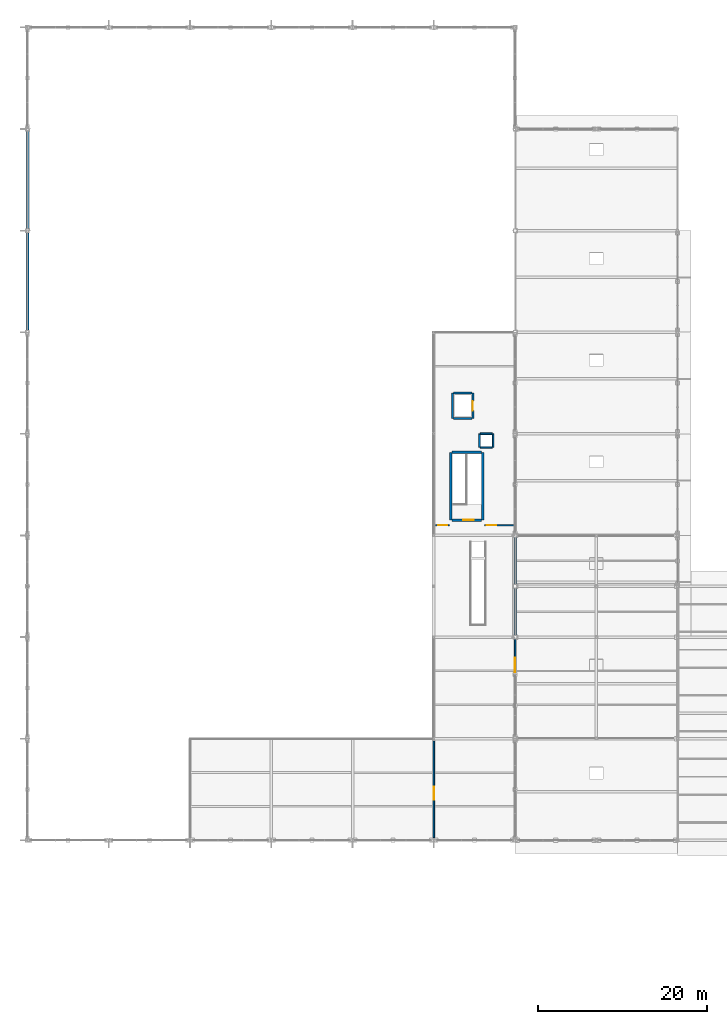
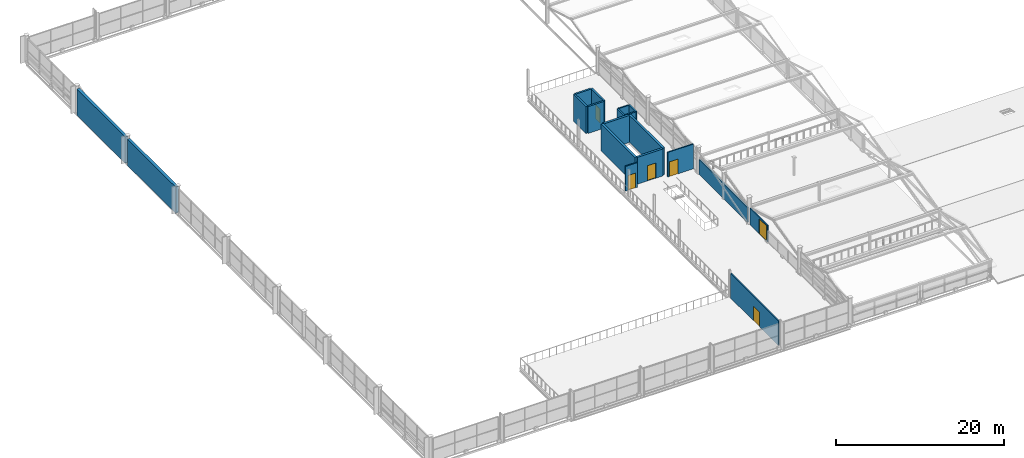
# One storey, part 106 of 117: 19 walls, 6 doors, 6 openings.
"""IFC4 building model written with IfcOpenShell, lengths in metres."""

import ifcopenshell
import ifcopenshell.guid

model = None  # the IFC model being written
_history = None  # IfcOwnerHistory: only IFC2X3 demands one
_inside = {}  # id of a spatial element -> (the spatial element, [elements in it])
_under = {}  # id of a project, library or spatial element -> (it, [spatial elements below it])
_declared = {}  # id of a project -> (the project, [libraries it declares])
_typed = {}  # id of a type object -> (the type object, [elements of that type])
_made_of = {}  # id of a material, layer set ... -> (it, [elements and type objects made of it])


def new_model(schema):
    """Start an empty IFC model of exactly this schema.

    Asked for "IFC4X3", IfcOpenShell would pick the latest addendum, in which some entities
    have other attributes; the version numbers below select the first issue.
    IFC2X3 requires an IfcOwnerHistory on every rooted entity: one is made here for all.
    """
    global model, _history
    if schema == "IFC4X3":
        model = ifcopenshell.file(schema_version=(4, 3, 0, 0))
    else:
        model = ifcopenshell.file(schema=schema)
    _inside.clear()
    _under.clear()
    _declared.clear()
    _typed.clear()
    _made_of.clear()
    _history = None
    if model.schema == "IFC2X3":
        org = make("IfcOrganization", Name="unknown")
        user = make(
            "IfcPersonAndOrganization",
            ThePerson=make("IfcPerson", FamilyName="unknown"),
            TheOrganization=org,
        )
        app = make(
            "IfcApplication",
            ApplicationDeveloper=org,
            Version="unknown",
            ApplicationFullName="unknown",
            ApplicationIdentifier="unknown",
        )
        _history = make(
            "IfcOwnerHistory",
            OwningUser=user,
            OwningApplication=app,
            ChangeAction="ADDED",
            CreationDate=0,
        )
    return model


def make(cls, **values):
    """One entity of the class cls with the attributes given. An attribute that is None is left unset."""
    return model.create_entity(
        cls, **{name: value for name, value in values.items() if value is not None}
    )


def rooted(cls, **values):
    """An entity with a GlobalId (a new one), such as an element, a storey or a relation."""
    return make(cls, GlobalId=ifcopenshell.guid.new(), OwnerHistory=_history, **values)


def si_unit(unit_type, name, prefix=None):
    """IfcSIUnit, for example si_unit("LENGTHUNIT", "METRE", prefix="MILLI")."""
    return make("IfcSIUnit", UnitType=unit_type, Prefix=prefix, Name=name)


def assignment(units):
    """IfcUnitAssignment: the units of a project."""
    return None if units is None else make("IfcUnitAssignment", Units=units)


def point(xyz):
    """IfcCartesianPoint."""
    return None if xyz is None else make("IfcCartesianPoint", Coordinates=xyz)


def direction(xyz):
    """IfcDirection."""
    return None if xyz is None else make("IfcDirection", DirectionRatios=xyz)


def frame(location, z_axis=None, x_axis=None):
    """IfcAxis2Placement3D, a coordinate frame: its origin and axes. An axis left out is left unset."""
    return make(
        "IfcAxis2Placement3D",
        Location=point(location),
        Axis=direction(z_axis),
        RefDirection=direction(x_axis),
    )


def frame_2d(location, x_axis=None):
    """IfcAxis2Placement2D, a coordinate frame in the plane: its origin and x axis."""
    return make(
        "IfcAxis2Placement2D", Location=point(location), RefDirection=direction(x_axis)
    )


def origin():
    """The frame at (0, 0, 0) with its axes left unset."""
    return frame((0.0, 0.0, 0.0))


def place(relative_to, where):
    """IfcLocalPlacement: puts the frame where relative to a parent placement (None: the world)."""
    return make(
        "IfcLocalPlacement", PlacementRelTo=relative_to, RelativePlacement=where
    )


def context(
    kind, dimensions, precision=None, world=None, true_north=None, identifier=None
):
    """IfcGeometricRepresentationContext, for example the 3D "Model" context."""
    return make(
        "IfcGeometricRepresentationContext",
        ContextIdentifier=identifier,
        ContextType=kind,
        CoordinateSpaceDimension=dimensions,
        Precision=precision,
        WorldCoordinateSystem=world,
        TrueNorth=true_north,
    )


def subcontext(parent, identifier, kind, view, scale=None):
    """IfcGeometricRepresentationSubContext, for example "Body" below "Model"."""
    return make(
        "IfcGeometricRepresentationSubContext",
        ContextIdentifier=identifier,
        ContextType=kind,
        ParentContext=parent,
        TargetScale=scale,
        TargetView=view,
    )


def project(units=None, contexts=None):
    """IfcProject with its units and contexts."""
    return rooted(
        "IfcProject",
        Name="project",
        RepresentationContexts=contexts,
        UnitsInContext=assignment(units),
    )


def spatial(cls, under=None, at=None, **own):
    """A site, building, storey or space (cls), placed at a placement, below another one or the project."""
    s = rooted(cls, ObjectPlacement=at, **own)
    if under is not None:
        _under.setdefault(under.id(), (under, []))[1].append(s)
    return s


def profile(cls, at=None, kind="AREA", **sizes):
    """A parametric profile (cls). Its sizes go by their IFC names, for example OverallWidth=200.0."""
    return make(cls, ProfileType=kind, Position=at, **sizes)


def rectangle(**sizes):
    """IfcRectangleProfileDef."""
    return profile("IfcRectangleProfileDef", **sizes)


def extrude(swept, where, along, depth):
    """IfcExtrudedAreaSolid: the profile swept, set in the frame where, extruded along a direction by depth."""
    return make(
        "IfcExtrudedAreaSolid",
        SweptArea=swept,
        Position=where,
        ExtrudedDirection=direction(along),
        Depth=depth,
    )


def shape(context_of_items, identifier, shape_type, items):
    """IfcShapeRepresentation: the items that make up one representation, for example the "Body"."""
    return make(
        "IfcShapeRepresentation",
        ContextOfItems=context_of_items,
        RepresentationIdentifier=identifier,
        RepresentationType=shape_type,
        Items=items,
    )


def material(Name=None, Category=None):
    """IfcMaterial."""
    return make("IfcMaterial", Name=Name, Category=Category)


def layer(
    of_material, thickness, ventilated=None, Name=None, Category=None, Priority=None
):
    """IfcMaterialLayer: one layer of a wall or slab, of a material (None: an air gap)."""
    return make(
        "IfcMaterialLayer",
        Material=of_material,
        LayerThickness=thickness,
        IsVentilated=ventilated,
        Name=Name,
        Category=Category,
        Priority=Priority,
    )


def layer_set(layers, Name=None):
    """IfcMaterialLayerSet."""
    return make("IfcMaterialLayerSet", MaterialLayers=layers, LayerSetName=Name)


def made_of(thing, what):
    """Note that an element or type object is made of a material, layer set ...; save() writes the relation."""
    if what is not None:
        _made_of.setdefault(what.id(), (what, []))[1].append(thing)
    return thing


def type_object(cls, material=None, **own):
    """A type object (cls), such as IfcWallType, which elements share."""
    return made_of(rooted(cls, **own), material)


def element(
    cls,
    number,
    at=None,
    inside=None,
    cuts=None,
    type_object=None,
    material=None,
    context=None,
    identifier="Body",
    shape_type=None,
    held_by="IfcProductDefinitionShape",
    body=None,
    shapes=None,
    **own,
):
    """One element of the class cls, such as IfcWall. Its Tag is "e" and its number.

    at: its placement. inside: the storey or other place that contains it. cuts: it is an
    opening in that element (IfcRelVoidsElement). A single representation is given by context,
    identifier, shape_type and body (its items); several are given by shapes. held_by: the class
    of the entity that holds the representations. save() writes the other relations.
    """
    e = rooted(cls, Tag="e%d" % number, ObjectPlacement=at, **own)
    if body is not None:
        shapes = [shape(context, identifier, shape_type, body)]
    if shapes is not None:
        e.Representation = make(held_by, Representations=shapes)
    if inside is not None:
        _inside.setdefault(inside.id(), (inside, []))[1].append(e)
    if cuts is not None:
        rooted(
            "IfcRelVoidsElement", RelatingBuildingElement=cuts, RelatedOpeningElement=e
        )
    if type_object is not None:
        _typed.setdefault(type_object.id(), (type_object, []))[1].append(e)
    return made_of(e, material)


def fill(opening, filler):
    """IfcRelFillsElement: the door or window that sits in an opening."""
    return rooted(
        "IfcRelFillsElement",
        RelatingOpeningElement=opening,
        RelatedBuildingElement=filler,
    )


def aggregate(whole, parts):
    """IfcRelAggregates: a whole, such as a stair, and the parts it consists of."""
    return rooted("IfcRelAggregates", RelatingObject=whole, RelatedObjects=parts)


def save(model, path):
    """Write the relations noted so far, then the file.

    IfcRelAggregates (storeys below a building ...), IfcRelContainedInSpatialStructure (elements
    in a storey), IfcRelDefinesByType, IfcRelAssociatesMaterial and IfcRelDeclares: one each for
    every whole, place, type object, material and project.
    """
    for whole, parts in _under.values():
        aggregate(whole, parts)
    for where, things in _inside.values():
        rooted(
            "IfcRelContainedInSpatialStructure",
            RelatedElements=things,
            RelatingStructure=where,
        )
    for kind, things in _typed.values():
        rooted("IfcRelDefinesByType", RelatedObjects=things, RelatingType=kind)
    for what, things in _made_of.values():
        rooted("IfcRelAssociatesMaterial", RelatedObjects=things, RelatingMaterial=what)
    for by, libraries in _declared.values():
        rooted("IfcRelDeclares", RelatingContext=by, RelatedDefinitions=libraries)
    model.write(path)


model = new_model("IFC4")

# Units and contexts
model_context = context("Model", 3, precision=1e-05, world=origin(), true_north=direction((0.0, 1.0)))
body_context = subcontext(model_context, "Body", "Model", "MODEL_VIEW")
ifc_project = project(units=[si_unit("LENGTHUNIT", "METRE"), si_unit("AREAUNIT", "SQUARE_METRE"), si_unit("VOLUMEUNIT", "CUBIC_METRE"), si_unit("PLANEANGLEUNIT", "RADIAN"), si_unit("MASSUNIT", "GRAM", prefix="KILO")], contexts=[model_context])

# Site, building, storey
site_placement = place(None, origin())
site = spatial("IfcSite", under=ifc_project, at=site_placement, CompositionType="ELEMENT")
building_placement = place(site_placement, origin())
building = spatial("IfcBuilding", under=site, at=building_placement, Name="Merenkruunu Market Hall", CompositionType="ELEMENT")
storey_placement = place(building_placement, frame((0.0, 0.0, 10.199951171875)))
storey = spatial("IfcBuildingStorey", under=building, at=storey_placement, Name="L02", CompositionType="ELEMENT", Elevation=10.199951171875)

# Walls
ifc_material_1 = material(Name="Precast concrete C40/50", Category="concrete")
ifc_layer_1 = layer(ifc_material_1, 0.3798828125)
ifc_layer_set_1 = layer_set([ifc_layer_1], Name="Precast concrete C40/50")
wall_type_1 = type_object("IfcWallType", Name="Exterior Envelope Wall EW02", PredefinedType="STANDARD", material=ifc_layer_set_1)
for number, where, z_axis, x_axis, name in (
    (1, (0.0, 75.85791015625, -0.31005859375), (0.0, 0.0, 1.0), (0.0, 1.0, 0.0), "WALL-EXT-L02-0006"),
    (2, (0.0, 87.85791015625, -0.31005859375), (0.0, 0.0, 1.0), (0.0, 1.0, 0.0), "WALL-EXT-L02-0009"),
):
    element("IfcWall", number, at=place(storey_placement, frame(where, z_axis=z_axis, x_axis=x_axis)), inside=storey, type_object=wall_type_1, Name=name, PredefinedType="STANDARD", context=body_context, shape_type="SweptSolid", body=[
        extrude(rectangle(XDim=11.484130859375, YDim=0.3798828125, at=frame_2d((5.7421875, 0.0))), origin(), (0.0, 0.0, 1.0), 3.81005859375),
    ])
ifc_material_2 = material(Name="Acoustic mineral wool panel")
ifc_layer_2 = layer(ifc_material_2, 0.219970703125)
ifc_layer_set_2 = layer_set([ifc_layer_2], Name="Acoustic mineral wool panel")
wall_type_2 = type_object("IfcWallType", Name="Interior Partition Wall FW01", PredefinedType="PARTITIONING", material=ifc_layer_set_2)
wall_1_placement = place(storey_placement, frame((57.60009765625, 39.8798828125, 0.0), z_axis=(0.0, 0.0, 1.0), x_axis=(0.0, 1.0, 0.0)))
element("IfcWall", 3, at=wall_1_placement, inside=storey, type_object=wall_type_2, Name="WALL-EXT-L02-0022", PredefinedType="PARTITIONING", context=body_context, shape_type="SweptSolid", body=[
    extrude(rectangle(XDim=11.440185546875, YDim=0.219970703125, at=frame_2d((5.72021484375, 0.0))), origin(), (0.0, 0.0, 1.0), 2.1650390625),
])
ifc_material_3 = material(Name="Gypsum fire compartment board")
ifc_layer_3 = layer(ifc_material_3, 0.199951171875)
ifc_layer_set_3 = layer_set([ifc_layer_3], Name="Gypsum fire compartment board")
wall_type_3 = type_object("IfcWallType", Name="Interior Partition Wall FW02", PredefinedType="PARTITIONING", material=ifc_layer_set_3)
wall_2_placement = place(storey_placement, frame((53.501953125, 62.0, 0.0), z_axis=(0.0, 0.0, 1.0), x_axis=(1.0, 0.0, 0.0)))
element("IfcWall", 4, at=wall_2_placement, inside=storey, type_object=wall_type_3, Name="WALL-INT-L02-0131", PredefinedType="PARTITIONING", context=body_context, shape_type="SweptSolid", body=[
    extrude(rectangle(XDim=1.39599609375, YDim=0.199951171875, at=frame_2d((0.697998046875, 0.0))), origin(), (0.0, 0.0, 1.0), 3.580078125),
])
wall_3_placement = place(storey_placement, frame((55.0, 62.0, 0.0), z_axis=(0.0, 0.0, 1.0), x_axis=(0.0, 1.0, 0.0)))
element("IfcWall", 5, at=wall_3_placement, inside=storey, type_object=wall_type_3, Name="WALL-INT-L02-0132", PredefinedType="PARTITIONING", context=body_context, shape_type="SweptSolid", body=[
    extrude(rectangle(XDim=1.60009765625, YDim=0.199951171875, at=frame_2d((0.800048828125, 0.0))), origin(), (0.0, 0.0, 1.0), 3.580078125),
])
wall_4_placement = place(storey_placement, frame((54.89794921875, 63.60009765625, 0.0), z_axis=(0.0, 0.0, 1.0), x_axis=(-1.0, 0.0, 0.0)))
element("IfcWall", 6, at=wall_4_placement, inside=storey, type_object=wall_type_3, Name="WALL-INT-L02-0133", PredefinedType="PARTITIONING", context=body_context, shape_type="SweptSolid", body=[
    extrude(rectangle(XDim=1.39599609375, YDim=0.199951171875, at=frame_2d((0.697998046875, 0.0))), origin(), (0.0, 0.0, 1.0), 3.580078125),
])
wall_5_placement = place(storey_placement, frame((53.39990234375, 63.60009765625, 0.0), z_axis=(0.0, 0.0, 1.0), x_axis=(0.0, -1.0, 0.0)))
element("IfcWall", 7, at=wall_5_placement, inside=storey, type_object=wall_type_3, Name="WALL-INT-L02-0134", PredefinedType="PARTITIONING", context=body_context, shape_type="SweptSolid", body=[
    extrude(rectangle(XDim=1.60009765625, YDim=0.199951171875, at=frame_2d((0.800048828125, 0.0))), origin(), (0.0, 0.0, 1.0), 3.580078125),
])

# Wall, opening, door
ifc_material_4 = material(Name="Gypsum acoustic partition board")
ifc_layer_4 = layer(ifc_material_4, 0.159912109375)
ifc_layer_set_4 = layer_set([ifc_layer_4], Name="Gypsum acoustic partition board")
wall_type_4 = type_object("IfcWallType", Name="Interior Partition Wall PW01", PredefinedType="PARTITIONING", material=ifc_layer_set_4)
wall_6_placement = place(storey_placement, frame((57.60009765625, 35.199951171875, 0.0), z_axis=(0.0, 0.0, 1.0), x_axis=(0.0, 1.0, 0.0)))
wall_6 = element("IfcWall", 8, at=wall_6_placement, inside=storey, type_object=wall_type_4, Name="WALL-EXT-L02-0019", PredefinedType="PARTITIONING", context=body_context, shape_type="SweptSolid", body=[
    extrude(rectangle(XDim=4.1201171875, YDim=0.159912109375, at=frame_2d((2.06005859375, 0.0))), origin(), (0.0, 0.0, 1.0), 2.400146484375),
])
opening_1_placement = place(wall_6_placement, frame((0.239990234375, 0.0, 0.0)))
opening_1 = element("IfcOpeningElement", 9, at=opening_1_placement, cuts=wall_6, Name="Opening D07", PredefinedType="OPENING", context=body_context, shape_type="SweptSolid", body=[
    extrude(rectangle(XDim=1.699951171875, YDim=2.199951171875, at=frame_2d((0.85009765625, 1.10009765625))), frame((0.0, 0.08984375, 0.0), z_axis=(0.0, -1.0, 0.0), x_axis=(1.0, 0.0, 0.0)), (0.0, 0.0, 1.0), 0.179931640625),
])
ifc_material_5 = material(Name="Lacquered Nordic birch")
door_type_1 = type_object("IfcDoorType", Name="Pedestrian Room Door D07", OperationType="NOTDEFINED", PredefinedType="DOOR", material=ifc_material_5)
door_1_placement = place(opening_1_placement, origin())
door_1 = element("IfcDoor", 10, at=door_1_placement, inside=storey, type_object=door_type_1, Name="DR-L02-001", OperationType="DOUBLE_DOOR_SINGLE_SWING", OverallHeight=2.199951171875, OverallWidth=1.699951171875, PredefinedType="DOOR", context=body_context, shape_type="SweptSolid", body=[
    extrude(rectangle(XDim=1.699951171875, YDim=2.199951171875, at=frame_2d((0.85009765625, 1.10009765625))), frame((0.0, 0.02490234375, 0.0), z_axis=(0.0, -1.0, 0.0), x_axis=(1.0, 0.0, 0.0)), (0.0, 0.0, 1.0), 0.050048828125),
])
fill(opening_1, door_1)

wall_7_placement = place(storey_placement, frame((48.0, 15.89990234375, 0.0), z_axis=(0.0, 0.0, 1.0), x_axis=(0.0, 1.0, 0.0)))
wall_7 = element("IfcWall", 11, at=wall_7_placement, inside=storey, type_object=wall_type_4, Name="WALL-INT-L02-0070", PredefinedType="PARTITIONING", context=body_context, shape_type="SweptSolid", body=[
    extrude(rectangle(XDim=11.400146484375, YDim=0.159912109375, at=frame_2d((5.7001953125, 0.0))), origin(), (0.0, 0.0, 1.0), 3.580078125),
])
opening_2_placement = place(wall_7_placement, frame((4.5, 0.0, 0.0)))
opening_2 = element("IfcOpeningElement", 12, at=opening_2_placement, cuts=wall_7, Name="Opening D06", PredefinedType="OPENING", context=body_context, shape_type="SweptSolid", body=[
    extrude(rectangle(XDim=1.5, YDim=2.14990234375, at=frame_2d((0.75, 1.074951171875))), frame((0.0, 0.08984375, 0.0), z_axis=(0.0, -1.0, 0.0), x_axis=(1.0, 0.0, 0.0)), (0.0, 0.0, 1.0), 0.179931640625),
])
door_type_2 = type_object("IfcDoorType", Name="Pedestrian Room Door D06", OperationType="NOTDEFINED", PredefinedType="DOOR", material=ifc_material_5)
door_2_placement = place(opening_2_placement, origin())
door_2 = element("IfcDoor", 13, at=door_2_placement, inside=storey, type_object=door_type_2, Name="DR-L02-068", OperationType="SINGLE_SWING_RIGHT", OverallHeight=2.14990234375, OverallWidth=1.5, PredefinedType="DOOR", context=body_context, shape_type="SweptSolid", body=[
    extrude(rectangle(XDim=1.5, YDim=2.14990234375, at=frame_2d((0.75, 1.074951171875))), frame((0.0, 0.02490234375, 0.0), z_axis=(0.0, -1.0, 0.0), x_axis=(1.0, 0.0, 0.0)), (0.0, 0.0, 1.0), 0.050048828125),
])
fill(opening_2, door_2)

wall_8_placement = place(storey_placement, frame((48.199951171875, 52.800048828125, 0.0), z_axis=(0.0, 0.0, 1.0), x_axis=(1.0, 0.0, 0.0)))
wall_8 = element("IfcWall", 14, at=wall_8_placement, inside=storey, type_object=wall_type_4, Name="WALL-INT-L02-0071", PredefinedType="PARTITIONING", context=body_context, shape_type="SweptSolid", body=[
    extrude(rectangle(XDim=1.60009765625, YDim=0.159912109375, at=frame_2d((0.800048828125, 0.0))), origin(), (0.0, 0.0, 1.0), 3.580078125),
])
opening_3_placement = place(wall_8_placement, frame((0.31005859375, 0.0, 0.0)))
opening_3 = element("IfcOpeningElement", 15, at=opening_3_placement, cuts=wall_8, Name="Opening D03", PredefinedType="OPENING", context=body_context, shape_type="SweptSolid", body=[
    extrude(rectangle(XDim=1.050048828125, YDim=2.14990234375, at=frame_2d((0.52490234375, 1.074951171875))), frame((0.0, 0.08984375, 0.0), z_axis=(0.0, -1.0, 0.0), x_axis=(1.0, 0.0, 0.0)), (0.0, 0.0, 1.0), 0.179931640625),
])
door_type_3 = type_object("IfcDoorType", Name="Pedestrian Room Door D03", OperationType="NOTDEFINED", PredefinedType="DOOR", material=ifc_material_5)
door_3_placement = place(opening_3_placement, origin())
door_3 = element("IfcDoor", 16, at=door_3_placement, inside=storey, type_object=door_type_3, Name="DR-L02-069", OperationType="SINGLE_SWING_LEFT", OverallHeight=2.14990234375, OverallWidth=1.050048828125, PredefinedType="DOOR", context=body_context, shape_type="SweptSolid", body=[
    extrude(rectangle(XDim=1.050048828125, YDim=2.14990234375, at=frame_2d((0.52490234375, 1.074951171875))), frame((0.0, 0.02490234375, 0.0), z_axis=(0.0, -1.0, 0.0), x_axis=(1.0, 0.0, 0.0)), (0.0, 0.0, 1.0), 0.050048828125),
])
fill(opening_3, door_3)

wall_9_placement = place(storey_placement, frame((54.0, 52.800048828125, 0.0), z_axis=(0.0, 0.0, 1.0), x_axis=(1.0, 0.0, 0.0)))
wall_9 = element("IfcWall", 17, at=wall_9_placement, inside=storey, type_object=wall_type_4, Name="WALL-INT-L02-0072", PredefinedType="PARTITIONING", context=body_context, shape_type="SweptSolid", body=[
    extrude(rectangle(XDim=3.51806640625, YDim=0.159912109375, at=frame_2d((1.759033203125, 0.0))), origin(), (0.0, 0.0, 1.0), 3.580078125),
])
opening_4_placement = place(wall_9_placement, frame((0.239990234375, 0.0, 0.0)))
opening_4 = element("IfcOpeningElement", 18, at=opening_4_placement, cuts=wall_9, Name="Opening D04", PredefinedType="OPENING", context=body_context, shape_type="SweptSolid", body=[
    extrude(rectangle(XDim=1.14990234375, YDim=2.14990234375, at=frame_2d((0.574951171875, 1.074951171875))), frame((0.0, 0.08984375, 0.0), z_axis=(0.0, -1.0, 0.0), x_axis=(1.0, 0.0, 0.0)), (0.0, 0.0, 1.0), 0.179931640625),
])
door_type_4 = type_object("IfcDoorType", Name="Pedestrian Room Door D04", OperationType="NOTDEFINED", PredefinedType="DOOR", material=ifc_material_5)
door_4_placement = place(opening_4_placement, origin())
door_4 = element("IfcDoor", 19, at=door_4_placement, inside=storey, type_object=door_type_4, Name="DR-L02-070", OperationType="SINGLE_SWING_RIGHT", OverallHeight=2.14990234375, OverallWidth=1.14990234375, PredefinedType="DOOR", context=body_context, shape_type="SweptSolid", body=[
    extrude(rectangle(XDim=1.14990234375, YDim=2.14990234375, at=frame_2d((0.574951171875, 1.074951171875))), frame((0.0, 0.02490234375, 0.0), z_axis=(0.0, -1.0, 0.0), x_axis=(1.0, 0.0, 0.0)), (0.0, 0.0, 1.0), 0.050048828125),
])
fill(opening_4, door_4)

ifc_material_6 = material(Name="Concrete C35/45", Category="concrete")
ifc_layer_5 = layer(ifc_material_6, 0.300048828125)
ifc_layer_set_5 = layer_set([ifc_layer_5], Name="Concrete C35/45")
wall_type_5 = type_object("IfcWallType", Name="Structural Shear Wall SW02", PredefinedType="SHEAR", material=ifc_layer_set_5)
wall_10_placement = place(storey_placement, frame((53.64990234375, 53.39990234375, 0.0), z_axis=(0.0, 0.0, 1.0), x_axis=(-1.0, 0.0, 0.0)))
wall_10 = element("IfcWall", 20, at=wall_10_placement, inside=storey, type_object=wall_type_5, Name="WALL-CORE-K3-L02-S", PredefinedType="SHEAR", context=body_context, shape_type="SweptSolid", body=[
    extrude(rectangle(XDim=3.5, YDim=0.300048828125, at=frame_2d((1.75, 0.0))), origin(), (0.0, 0.0, 1.0), 3.900146484375),
])
opening_5_placement = place(wall_10_placement, frame((0.949951171875, 0.0, 0.0)))
opening_5 = element("IfcOpeningElement", 21, at=opening_5_placement, cuts=wall_10, Name="Opening FD03", PredefinedType="OPENING", context=body_context, shape_type="SweptSolid", body=[
    extrude(rectangle(XDim=1.199951171875, YDim=2.199951171875, at=frame_2d((0.60009765625, 1.10009765625))), frame((0.0, 0.16015625, 0.0), z_axis=(0.0, -1.0, 0.0), x_axis=(1.0, 0.0, 0.0)), (0.0, 0.0, 1.0), 0.320068359375),
])
ifc_material_7 = material(Name="Powder-coated aluminium", Category="aluminium")
door_type_5 = type_object("IfcDoorType", Name="Fire Compartment Door FD03", OperationType="NOTDEFINED", PredefinedType="DOOR", material=ifc_material_7)
door_5_placement = place(opening_5_placement, origin())
door_5 = element("IfcDoor", 22, at=door_5_placement, inside=storey, type_object=door_type_5, Name="DR-L02-107", OperationType="SINGLE_SWING_LEFT", OverallHeight=2.199951171875, OverallWidth=1.199951171875, PredefinedType="DOOR", context=body_context, shape_type="SweptSolid", body=[
    extrude(rectangle(XDim=1.199951171875, YDim=2.199951171875, at=frame_2d((0.60009765625, 1.10009765625))), frame((0.0, 0.02490234375, 0.0), z_axis=(0.0, -1.0, 0.0), x_axis=(1.0, 0.0, 0.0)), (0.0, 0.0, 1.0), 0.050048828125),
])
fill(opening_5, door_5)

# Walls
wall_11_placement = place(storey_placement, frame((53.800048828125, 53.39990234375, 0.0), z_axis=(0.0, 0.0, 1.0), x_axis=(0.0, 1.0, 0.0)))
element("IfcWall", 23, at=wall_11_placement, inside=storey, type_object=wall_type_5, Name="WALL-CORE-K3-L02-E", PredefinedType="SHEAR", context=body_context, shape_type="SweptSolid", body=[
    extrude(rectangle(XDim=8.0, YDim=0.300048828125, at=frame_2d((4.0, 0.0))), origin(), (0.0, 0.0, 1.0), 3.900146484375),
])
wall_12_placement = place(storey_placement, frame((53.64990234375, 61.39990234375, 0.0), z_axis=(0.0, 0.0, 1.0), x_axis=(-1.0, 0.0, 0.0)))
element("IfcWall", 24, at=wall_12_placement, inside=storey, type_object=wall_type_5, Name="WALL-CORE-K3-L02-N", PredefinedType="SHEAR", context=body_context, shape_type="SweptSolid", body=[
    extrude(rectangle(XDim=3.5, YDim=0.300048828125, at=frame_2d((1.75, 0.0))), origin(), (0.0, 0.0, 1.0), 3.900146484375),
])
wall_13_placement = place(storey_placement, frame((50.0, 61.39990234375, 0.0), z_axis=(0.0, 0.0, 1.0), x_axis=(0.0, -1.0, 0.0)))
element("IfcWall", 25, at=wall_13_placement, inside=storey, type_object=wall_type_5, Name="WALL-CORE-K3-L02-W", PredefinedType="SHEAR", context=body_context, shape_type="SweptSolid", body=[
    extrude(rectangle(XDim=8.0, YDim=0.300048828125, at=frame_2d((4.0, 0.0))), origin(), (0.0, 0.0, 1.0), 3.900146484375),
])
ifc_layer_6 = layer(ifc_material_6, 0.239990234375)
ifc_layer_set_6 = layer_set([ifc_layer_6], Name="Concrete C35/45")
wall_type_6 = type_object("IfcWallType", Name="Structural Shear Wall SW04", PredefinedType="SHEAR", material=ifc_layer_set_6)
wall_14_placement = place(storey_placement, frame((50.320068359375, 65.39990234375, 0.0), z_axis=(0.0, 0.0, 1.0), x_axis=(1.0, 0.0, 0.0)))
element("IfcWall", 26, at=wall_14_placement, inside=storey, type_object=wall_type_6, Name="WALL-LIFT-LP1-L02-S", PredefinedType="SHEAR", context=body_context, shape_type="SweptSolid", body=[
    extrude(rectangle(XDim=2.159912109375, YDim=0.239990234375, at=frame_2d((1.080078125, 0.0))), origin(), (0.0, 0.0, 1.0), 3.900146484375),
])

# Wall, opening, door
wall_15_placement = place(storey_placement, frame((52.60009765625, 65.39990234375, 0.0), z_axis=(0.0, 0.0, 1.0), x_axis=(0.0, 1.0, 0.0)))
wall_15 = element("IfcWall", 27, at=wall_15_placement, inside=storey, type_object=wall_type_6, Name="WALL-LIFT-LP1-L02-E", PredefinedType="SHEAR", context=body_context, shape_type="SweptSolid", body=[
    extrude(rectangle(XDim=3.0, YDim=0.239990234375, at=frame_2d((1.5, 0.0))), origin(), (0.0, 0.0, 1.0), 3.900146484375),
])
opening_6_placement = place(wall_15_placement, frame((0.949951171875, 0.0, 0.0)))
opening_6 = element("IfcOpeningElement", 28, at=opening_6_placement, cuts=wall_15, Name="Opening LD01", PredefinedType="OPENING", context=body_context, shape_type="SweptSolid", body=[
    extrude(rectangle(XDim=1.10009765625, YDim=2.10009765625, at=frame_2d((0.550048828125, 1.050048828125))), frame((0.0, 0.1298828125, 0.0), z_axis=(0.0, -1.0, 0.0), x_axis=(1.0, 0.0, 0.0)), (0.0, 0.0, 1.0), 0.260009765625),
])
ifc_material_8 = material(Name="Brushed stainless steel", Category="steel")
door_type_6 = type_object("IfcDoorType", Name="Lift Landing Sliding Door LD01", OperationType="NOTDEFINED", PredefinedType="DOOR", material=ifc_material_8)
door_6_placement = place(opening_6_placement, origin())
door_6 = element("IfcDoor", 29, at=door_6_placement, inside=storey, type_object=door_type_6, Name="Lift landing door LP1 L02", OperationType="SLIDING_TO_LEFT", OverallHeight=2.10009765625, OverallWidth=1.10009765625, PredefinedType="DOOR", context=body_context, shape_type="SweptSolid", body=[
    extrude(rectangle(XDim=1.10009765625, YDim=2.10009765625, at=frame_2d((0.550048828125, 1.050048828125))), frame((0.0, 0.02490234375, 0.0), z_axis=(0.0, -1.0, 0.0), x_axis=(1.0, 0.0, 0.0)), (0.0, 0.0, 1.0), 0.050048828125),
])
fill(opening_6, door_6)

# Walls
wall_16_placement = place(storey_placement, frame((52.47998046875, 68.39990234375, 0.0), z_axis=(0.0, 0.0, 1.0), x_axis=(-1.0, 0.0, 0.0)))
element("IfcWall", 30, at=wall_16_placement, inside=storey, type_object=wall_type_6, Name="WALL-LIFT-LP1-L02-N", PredefinedType="SHEAR", context=body_context, shape_type="SweptSolid", body=[
    extrude(rectangle(XDim=2.159912109375, YDim=0.239990234375, at=frame_2d((1.080078125, 0.0))), origin(), (0.0, 0.0, 1.0), 3.900146484375),
])
wall_17_placement = place(storey_placement, frame((50.199951171875, 68.39990234375, 0.0), z_axis=(0.0, 0.0, 1.0), x_axis=(0.0, -1.0, 0.0)))
element("IfcWall", 31, at=wall_17_placement, inside=storey, type_object=wall_type_6, Name="WALL-LIFT-LP1-L02-W", PredefinedType="SHEAR", context=body_context, shape_type="SweptSolid", body=[
    extrude(rectangle(XDim=3.0, YDim=0.239990234375, at=frame_2d((1.5, 0.0))), origin(), (0.0, 0.0, 1.0), 3.900146484375),
])

save(model, "model.ifc")
